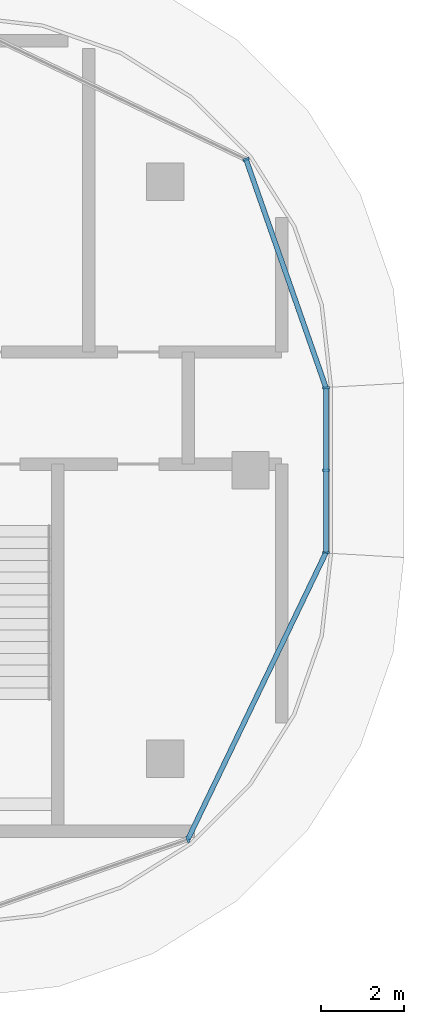
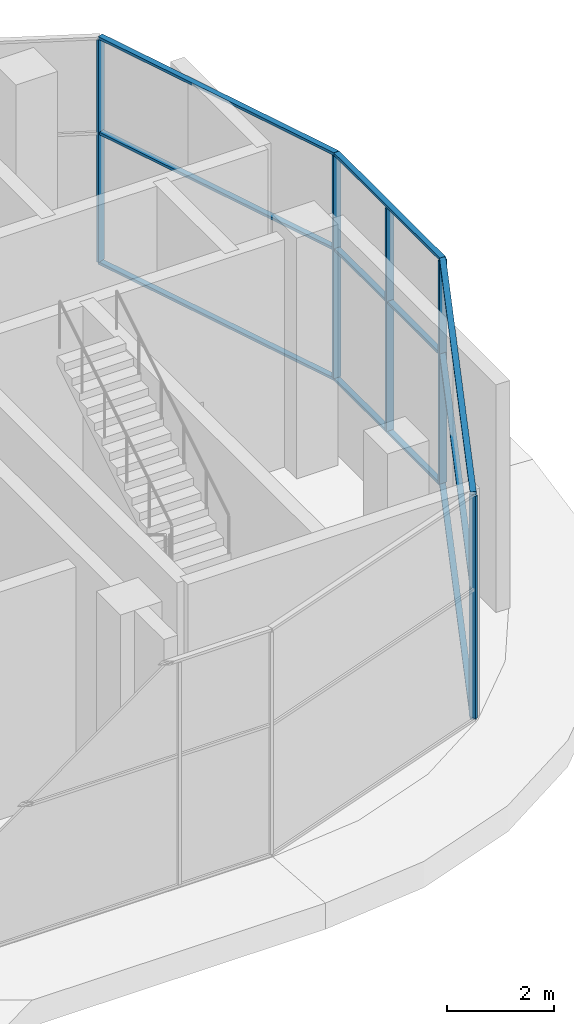
# One storey, part 10 of 23: 14 members, 3 elements without a shape of their own.
"""IFC4 building model written with IfcOpenShell, lengths in metres."""

import ifcopenshell
import ifcopenshell.guid

model = None  # the IFC model being written
_history = None  # IfcOwnerHistory: only IFC2X3 demands one
_inside = {}  # id of a spatial element -> (the spatial element, [elements in it])
_under = {}  # id of a project, library or spatial element -> (it, [spatial elements below it])
_declared = {}  # id of a project -> (the project, [libraries it declares])
_typed = {}  # id of a type object -> (the type object, [elements of that type])
_made_of = {}  # id of a material, layer set ... -> (it, [elements and type objects made of it])


def new_model(schema):
    """Start an empty IFC model of exactly this schema.

    Asked for "IFC4X3", IfcOpenShell would pick the latest addendum, in which some entities
    have other attributes; the version numbers below select the first issue.
    IFC2X3 requires an IfcOwnerHistory on every rooted entity: one is made here for all.
    """
    global model, _history
    if schema == "IFC4X3":
        model = ifcopenshell.file(schema_version=(4, 3, 0, 0))
    else:
        model = ifcopenshell.file(schema=schema)
    _inside.clear()
    _under.clear()
    _declared.clear()
    _typed.clear()
    _made_of.clear()
    _history = None
    if model.schema == "IFC2X3":
        org = make("IfcOrganization", Name="unknown")
        user = make(
            "IfcPersonAndOrganization",
            ThePerson=make("IfcPerson", FamilyName="unknown"),
            TheOrganization=org,
        )
        app = make(
            "IfcApplication",
            ApplicationDeveloper=org,
            Version="unknown",
            ApplicationFullName="unknown",
            ApplicationIdentifier="unknown",
        )
        _history = make(
            "IfcOwnerHistory",
            OwningUser=user,
            OwningApplication=app,
            ChangeAction="ADDED",
            CreationDate=0,
        )
    return model


def make(cls, **values):
    """One entity of the class cls with the attributes given. An attribute that is None is left unset."""
    return model.create_entity(
        cls, **{name: value for name, value in values.items() if value is not None}
    )


def rooted(cls, **values):
    """An entity with a GlobalId (a new one), such as an element, a storey or a relation."""
    return make(cls, GlobalId=ifcopenshell.guid.new(), OwnerHistory=_history, **values)


def si_unit(unit_type, name, prefix=None):
    """IfcSIUnit, for example si_unit("LENGTHUNIT", "METRE", prefix="MILLI")."""
    return make("IfcSIUnit", UnitType=unit_type, Prefix=prefix, Name=name)


def assignment(units):
    """IfcUnitAssignment: the units of a project."""
    return None if units is None else make("IfcUnitAssignment", Units=units)


def point(xyz):
    """IfcCartesianPoint."""
    return None if xyz is None else make("IfcCartesianPoint", Coordinates=xyz)


def direction(xyz):
    """IfcDirection."""
    return None if xyz is None else make("IfcDirection", DirectionRatios=xyz)


def frame(location, z_axis=None, x_axis=None):
    """IfcAxis2Placement3D, a coordinate frame: its origin and axes. An axis left out is left unset."""
    return make(
        "IfcAxis2Placement3D",
        Location=point(location),
        Axis=direction(z_axis),
        RefDirection=direction(x_axis),
    )


def frame_2d(location, x_axis=None):
    """IfcAxis2Placement2D, a coordinate frame in the plane: its origin and x axis."""
    return make(
        "IfcAxis2Placement2D", Location=point(location), RefDirection=direction(x_axis)
    )


def origin():
    """The frame at (0, 0, 0) with its axes left unset."""
    return frame((0.0, 0.0, 0.0))


def origin_2d():
    """The frame at (0, 0) in the plane with its x axis left unset."""
    return frame_2d((0.0, 0.0))


def place(relative_to, where):
    """IfcLocalPlacement: puts the frame where relative to a parent placement (None: the world)."""
    return make(
        "IfcLocalPlacement", PlacementRelTo=relative_to, RelativePlacement=where
    )


def context(
    kind, dimensions, precision=None, world=None, true_north=None, identifier=None
):
    """IfcGeometricRepresentationContext, for example the 3D "Model" context."""
    return make(
        "IfcGeometricRepresentationContext",
        ContextIdentifier=identifier,
        ContextType=kind,
        CoordinateSpaceDimension=dimensions,
        Precision=precision,
        WorldCoordinateSystem=world,
        TrueNorth=true_north,
    )


def subcontext(parent, identifier, kind, view, scale=None):
    """IfcGeometricRepresentationSubContext, for example "Body" below "Model"."""
    return make(
        "IfcGeometricRepresentationSubContext",
        ContextIdentifier=identifier,
        ContextType=kind,
        ParentContext=parent,
        TargetScale=scale,
        TargetView=view,
    )


def project(units=None, contexts=None):
    """IfcProject with its units and contexts."""
    return rooted(
        "IfcProject",
        Name="project",
        RepresentationContexts=contexts,
        UnitsInContext=assignment(units),
    )


def spatial(cls, under=None, at=None, **own):
    """A site, building, storey or space (cls), placed at a placement, below another one or the project."""
    s = rooted(cls, ObjectPlacement=at, **own)
    if under is not None:
        _under.setdefault(under.id(), (under, []))[1].append(s)
    return s


def profile(cls, at=None, kind="AREA", **sizes):
    """A parametric profile (cls). Its sizes go by their IFC names, for example OverallWidth=200.0."""
    return make(cls, ProfileType=kind, Position=at, **sizes)


def rectangle(**sizes):
    """IfcRectangleProfileDef."""
    return profile("IfcRectangleProfileDef", **sizes)


def extrude(swept, where, along, depth):
    """IfcExtrudedAreaSolid: the profile swept, set in the frame where, extruded along a direction by depth."""
    return make(
        "IfcExtrudedAreaSolid",
        SweptArea=swept,
        Position=where,
        ExtrudedDirection=direction(along),
        Depth=depth,
    )


def shape(context_of_items, identifier, shape_type, items):
    """IfcShapeRepresentation: the items that make up one representation, for example the "Body"."""
    return make(
        "IfcShapeRepresentation",
        ContextOfItems=context_of_items,
        RepresentationIdentifier=identifier,
        RepresentationType=shape_type,
        Items=items,
    )


def material(Name=None, Category=None):
    """IfcMaterial."""
    return make("IfcMaterial", Name=Name, Category=Category)


def material_profile(
    of_material, cross_section, Name=None, Category=None, Priority=None
):
    """IfcMaterialProfile: a cross section and its material."""
    return make(
        "IfcMaterialProfile",
        Name=Name,
        Material=of_material,
        Profile=cross_section,
        Priority=Priority,
        Category=Category,
    )


def profile_set(profiles, Name=None, composite=None):
    """IfcMaterialProfileSet."""
    return make(
        "IfcMaterialProfileSet",
        Name=Name,
        MaterialProfiles=profiles,
        CompositeProfile=composite,
    )


def made_of(thing, what):
    """Note that an element or type object is made of a material, layer set ...; save() writes the relation."""
    if what is not None:
        _made_of.setdefault(what.id(), (what, []))[1].append(thing)
    return thing


def type_object(cls, material=None, **own):
    """A type object (cls), such as IfcWallType, which elements share."""
    return made_of(rooted(cls, **own), material)


def element(
    cls,
    number,
    at=None,
    inside=None,
    cuts=None,
    type_object=None,
    material=None,
    context=None,
    identifier="Body",
    shape_type=None,
    held_by="IfcProductDefinitionShape",
    body=None,
    shapes=None,
    **own,
):
    """One element of the class cls, such as IfcWall. Its Tag is "e" and its number.

    at: its placement. inside: the storey or other place that contains it. cuts: it is an
    opening in that element (IfcRelVoidsElement). A single representation is given by context,
    identifier, shape_type and body (its items); several are given by shapes. held_by: the class
    of the entity that holds the representations. save() writes the other relations.
    """
    e = rooted(cls, Tag="e%d" % number, ObjectPlacement=at, **own)
    if body is not None:
        shapes = [shape(context, identifier, shape_type, body)]
    if shapes is not None:
        e.Representation = make(held_by, Representations=shapes)
    if inside is not None:
        _inside.setdefault(inside.id(), (inside, []))[1].append(e)
    if cuts is not None:
        rooted(
            "IfcRelVoidsElement", RelatingBuildingElement=cuts, RelatedOpeningElement=e
        )
    if type_object is not None:
        _typed.setdefault(type_object.id(), (type_object, []))[1].append(e)
    return made_of(e, material)


def aggregate(whole, parts):
    """IfcRelAggregates: a whole, such as a stair, and the parts it consists of."""
    return rooted("IfcRelAggregates", RelatingObject=whole, RelatedObjects=parts)


def save(model, path):
    """Write the relations noted so far, then the file.

    IfcRelAggregates (storeys below a building ...), IfcRelContainedInSpatialStructure (elements
    in a storey), IfcRelDefinesByType, IfcRelAssociatesMaterial and IfcRelDeclares: one each for
    every whole, place, type object, material and project.
    """
    for whole, parts in _under.values():
        aggregate(whole, parts)
    for where, things in _inside.values():
        rooted(
            "IfcRelContainedInSpatialStructure",
            RelatedElements=things,
            RelatingStructure=where,
        )
    for kind, things in _typed.values():
        rooted("IfcRelDefinesByType", RelatedObjects=things, RelatingType=kind)
    for what, things in _made_of.values():
        rooted("IfcRelAssociatesMaterial", RelatedObjects=things, RelatingMaterial=what)
    for by, libraries in _declared.values():
        rooted("IfcRelDeclares", RelatingContext=by, RelatedDefinitions=libraries)
    model.write(path)


model = new_model("IFC4")

# Units and contexts
model_context = context("Model", 3, precision=1e-05, world=origin(), true_north=direction((0.0, 1.0)))
body_context = subcontext(model_context, "Body", "Model", "MODEL_VIEW")
ifc_project = project(units=[si_unit("LENGTHUNIT", "METRE"), si_unit("AREAUNIT", "SQUARE_METRE"), si_unit("VOLUMEUNIT", "CUBIC_METRE"), si_unit("PLANEANGLEUNIT", "RADIAN"), si_unit("MASSUNIT", "GRAM", prefix="KILO")], contexts=[model_context])

# Site, building, storey
site_placement = place(None, origin())
site = spatial("IfcSite", under=ifc_project, at=site_placement, CompositionType="ELEMENT")
building_placement = place(site_placement, origin())
building = spatial("IfcBuilding", under=site, at=building_placement, Name="Ogive Portal Towers", CompositionType="ELEMENT")
storey_placement = place(building_placement, frame((0.0, 0.0, 249.39990234375)))
storey = spatial("IfcBuildingStorey", under=building, at=storey_placement, Name="L62", CompositionType="ELEMENT", Elevation=249.39990234375)

# Curtain wall, members
ifc_material_1 = material(Name="Glass, clear low-iron insulated glazing", Category="glass")
curtain_wall_type = type_object("IfcCurtainWallType", Name="CW OBSERVATION WALL", PredefinedType="NOTDEFINED", material=ifc_material_1)
curtain_wall_1_placement = place(storey_placement, origin())
curtain_wall_1 = element("IfcCurtainWall", 1, at=curtain_wall_1_placement, inside=storey, type_object=curtain_wall_type, Name="A:L62:f10:cw0", PredefinedType="NOTDEFINED")
ifc_material_2 = material(Name="Aluminium 6063 anodised", Category="aluminium")
ifc_material_profile_1 = material_profile(ifc_material_2, rectangle(XDim=0.159912109375, YDim=0.06005859375, at=origin_2d()), Name="AL 60x160")
ifc_profile_set_1 = profile_set([ifc_material_profile_1], Name="Aluminium 6063 anodised")
member_type_1 = type_object("IfcMemberType", Name="CW MULLION 60x160", PredefinedType="MULLION", material=ifc_profile_set_1)
member_1_placement = place(storey_placement, frame((96.320068359375, 28.518310546875, 0.06005859375), z_axis=(0.0, 0.0, 1.0), x_axis=(-1.0, 0.0, 0.0)))
member_1 = element("IfcMember", 2, at=member_1_placement, type_object=member_type_1, Name="mullion", PredefinedType="MULLION", context=body_context, shape_type="SweptSolid", body=[
    extrude(rectangle(XDim=0.159912109375, YDim=0.06005859375, at=origin_2d()), origin(), (0.0, 0.0, 1.0), 5.080078125),
])
member_2_placement = place(storey_placement, frame((96.320068359375, 30.5, 0.06005859375), z_axis=(0.0, 0.0, 1.0), x_axis=(-1.0, 0.0, 0.0)))
member_2 = element("IfcMember", 3, at=member_2_placement, type_object=member_type_1, Name="mullion", PredefinedType="MULLION", context=body_context, shape_type="SweptSolid", body=[
    extrude(rectangle(XDim=0.159912109375, YDim=0.06005859375, at=origin_2d()), origin(), (0.0, 0.0, 1.0), 5.080078125),
])
member_3_placement = place(storey_placement, frame((96.320068359375, 32.486328125, 0.06005859375), z_axis=(0.0, 0.0, 1.0), x_axis=(-1.0, 0.0, 0.0)))
member_3 = element("IfcMember", 4, at=member_3_placement, type_object=member_type_1, Name="mullion", PredefinedType="MULLION", context=body_context, shape_type="SweptSolid", body=[
    extrude(rectangle(XDim=0.159912109375, YDim=0.06005859375, at=origin_2d()), origin(), (0.0, 0.0, 1.0), 5.080078125),
])

# Curtain wall, member
curtain_wall_2_placement = place(storey_placement, origin())
curtain_wall_2 = element("IfcCurtainWall", 5, at=curtain_wall_2_placement, inside=storey, type_object=curtain_wall_type, Name="A:L62:f08:cwa", PredefinedType="NOTDEFINED")
member_4_placement = place(storey_placement, frame((92.991455078125, 21.606201171875, 0.06005859375), z_axis=(0.0, 0.0, 1.0), x_axis=(-0.33027906196, 0.943883330307, 0.0)))
member_4 = element("IfcMember", 6, at=member_4_placement, type_object=member_type_1, Name="mullion", PredefinedType="MULLION", context=body_context, shape_type="SweptSolid", body=[
    extrude(rectangle(XDim=0.159912109375, YDim=0.06005859375, at=origin_2d()), origin(), (0.0, 0.0, 1.0), 5.080078125),
])

curtain_wall_3_placement = place(storey_placement, origin())
curtain_wall_3 = element("IfcCurtainWall", 7, at=curtain_wall_3_placement, inside=storey, type_object=curtain_wall_type, Name="A:L62:f11:cwa", PredefinedType="NOTDEFINED")
member_5_placement = place(storey_placement, frame((94.393798828125, 37.991455078125, 0.06005859375), z_axis=(0.0, 0.0, 1.0), x_axis=(-0.943883330307, -0.33027906196, 0.0)))
member_5 = element("IfcMember", 8, at=member_5_placement, type_object=member_type_1, Name="mullion", PredefinedType="MULLION", context=body_context, shape_type="SweptSolid", body=[
    extrude(rectangle(XDim=0.159912109375, YDim=0.06005859375, at=origin_2d()), origin(), (0.0, 0.0, 1.0), 5.080078125),
])

# Member
ifc_material_profile_2 = material_profile(ifc_material_2, rectangle(XDim=0.1201171875, YDim=0.06005859375, at=origin_2d()), Name="AL 120x60")
ifc_profile_set_2 = profile_set([ifc_material_profile_2], Name="Aluminium 6063 anodised")
member_type_2 = type_object("IfcMemberType", Name="CW TRANSOM 60x120", PredefinedType="USERDEFINED", material=ifc_profile_set_2)
member_6_placement = place(storey_placement, frame((96.320068359375, 28.518310546875, 0.030029296875), z_axis=(0.0, 1.0, 0.0), x_axis=(-1.0, 0.0, 0.0)))
member_6 = element("IfcMember", 9, at=member_6_placement, type_object=member_type_2, Name="transom", ObjectType="TRANSOM", PredefinedType="USERDEFINED", context=body_context, shape_type="SweptSolid", body=[
    extrude(rectangle(XDim=0.1201171875, YDim=0.06005859375, at=origin_2d()), origin(), (0.0, 0.0, 1.0), 3.968017578125),
])

member_7_placement = place(storey_placement, frame((96.320068359375, 28.518310546875, 3.0), z_axis=(0.0, 1.0, 0.0), x_axis=(-1.0, 0.0, 0.0)))
member_7 = element("IfcMember", 10, at=member_7_placement, type_object=member_type_2, Name="transom", ObjectType="TRANSOM", PredefinedType="USERDEFINED", context=body_context, shape_type="SweptSolid", body=[
    extrude(rectangle(XDim=0.1201171875, YDim=0.06005859375, at=origin_2d()), origin(), (0.0, 0.0, 1.0), 3.968017578125),
])

member_8_placement = place(storey_placement, frame((96.320068359375, 28.518310546875, 5.170166015625), z_axis=(0.0, 1.0, 0.0), x_axis=(-1.0, 0.0, 0.0)))
member_8 = element("IfcMember", 11, at=member_8_placement, type_object=member_type_2, Name="transom", ObjectType="TRANSOM", PredefinedType="USERDEFINED", context=body_context, shape_type="SweptSolid", body=[
    extrude(rectangle(XDim=0.1201171875, YDim=0.06005859375, at=origin_2d()), origin(), (0.0, 0.0, 1.0), 3.968017578125),
])

aggregate(curtain_wall_1, [member_6, member_7, member_8, member_1, member_2, member_3])

member_9_placement = place(storey_placement, frame((92.991455078125, 21.606201171875, 0.030029296875), z_axis=(0.433874940462, 0.900973105059, 0.0), x_axis=(-0.900973105059, 0.433874940462, 0.0)))
member_9 = element("IfcMember", 12, at=member_9_placement, type_object=member_type_2, Name="transom", ObjectType="TRANSOM", PredefinedType="USERDEFINED", context=body_context, shape_type="SweptSolid", body=[
    extrude(rectangle(XDim=0.1201171875, YDim=0.06005859375, at=origin_2d()), origin(), (0.0, 0.0, 1.0), 7.671875),
])

member_10_placement = place(storey_placement, frame((92.991455078125, 21.606201171875, 3.0), z_axis=(0.433874940462, 0.900973105059, 0.0), x_axis=(-0.900973105059, 0.433874940462, 0.0)))
member_10 = element("IfcMember", 13, at=member_10_placement, type_object=member_type_2, Name="transom", ObjectType="TRANSOM", PredefinedType="USERDEFINED", context=body_context, shape_type="SweptSolid", body=[
    extrude(rectangle(XDim=0.1201171875, YDim=0.06005859375, at=origin_2d()), origin(), (0.0, 0.0, 1.0), 7.671875),
])

member_11_placement = place(storey_placement, frame((92.991455078125, 21.606201171875, 5.170166015625), z_axis=(0.433874940462, 0.900973105059, 0.0), x_axis=(-0.900973105059, 0.433874940462, 0.0)))
member_11 = element("IfcMember", 14, at=member_11_placement, type_object=member_type_2, Name="transom", ObjectType="TRANSOM", PredefinedType="USERDEFINED", context=body_context, shape_type="SweptSolid", body=[
    extrude(rectangle(XDim=0.1201171875, YDim=0.06005859375, at=origin_2d()), origin(), (0.0, 0.0, 1.0), 7.671875),
])

aggregate(curtain_wall_2, [member_9, member_10, member_11, member_4])

member_12_placement = place(storey_placement, frame((96.320068359375, 32.486328125, 0.030029296875), z_axis=(-0.330270247504, 0.943886414572, 0.0), x_axis=(-0.943886414572, -0.330270247504, 0.0)))
member_12 = element("IfcMember", 15, at=member_12_placement, type_object=member_type_2, Name="transom", ObjectType="TRANSOM", PredefinedType="USERDEFINED", context=body_context, shape_type="SweptSolid", body=[
    extrude(rectangle(XDim=0.1201171875, YDim=0.06005859375, at=origin_2d()), origin(), (0.0, 0.0, 1.0), 5.83251953125),
])

member_13_placement = place(storey_placement, frame((96.320068359375, 32.486328125, 3.0), z_axis=(-0.330270247504, 0.943886414572, 0.0), x_axis=(-0.943886414572, -0.330270247504, 0.0)))
member_13 = element("IfcMember", 16, at=member_13_placement, type_object=member_type_2, Name="transom", ObjectType="TRANSOM", PredefinedType="USERDEFINED", context=body_context, shape_type="SweptSolid", body=[
    extrude(rectangle(XDim=0.1201171875, YDim=0.06005859375, at=origin_2d()), origin(), (0.0, 0.0, 1.0), 5.83251953125),
])

member_14_placement = place(storey_placement, frame((96.320068359375, 32.486328125, 5.170166015625), z_axis=(-0.330270247504, 0.943886414572, 0.0), x_axis=(-0.943886414572, -0.330270247504, 0.0)))
member_14 = element("IfcMember", 17, at=member_14_placement, type_object=member_type_2, Name="transom", ObjectType="TRANSOM", PredefinedType="USERDEFINED", context=body_context, shape_type="SweptSolid", body=[
    extrude(rectangle(XDim=0.1201171875, YDim=0.06005859375, at=origin_2d()), origin(), (0.0, 0.0, 1.0), 5.83251953125),
])

aggregate(curtain_wall_3, [member_12, member_13, member_14, member_5])

save(model, "model.ifc")
